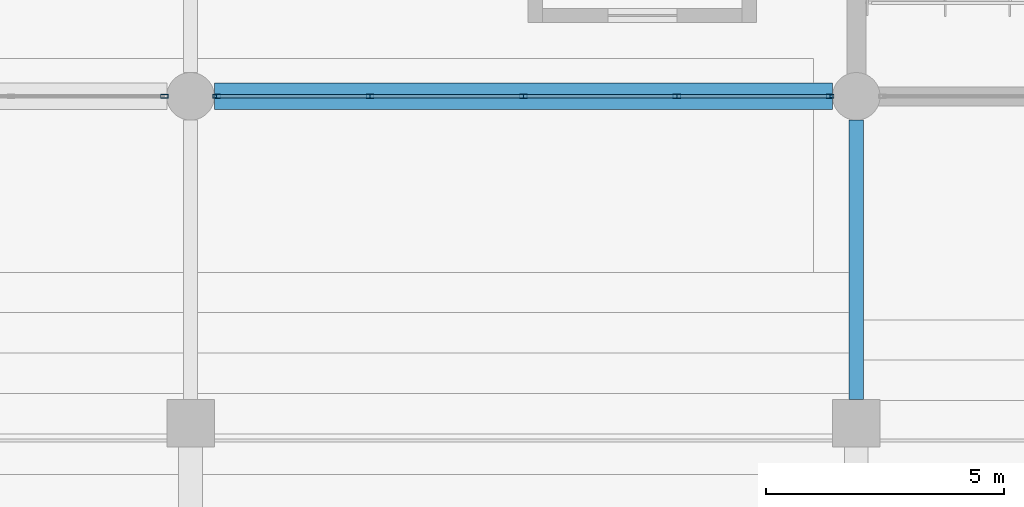
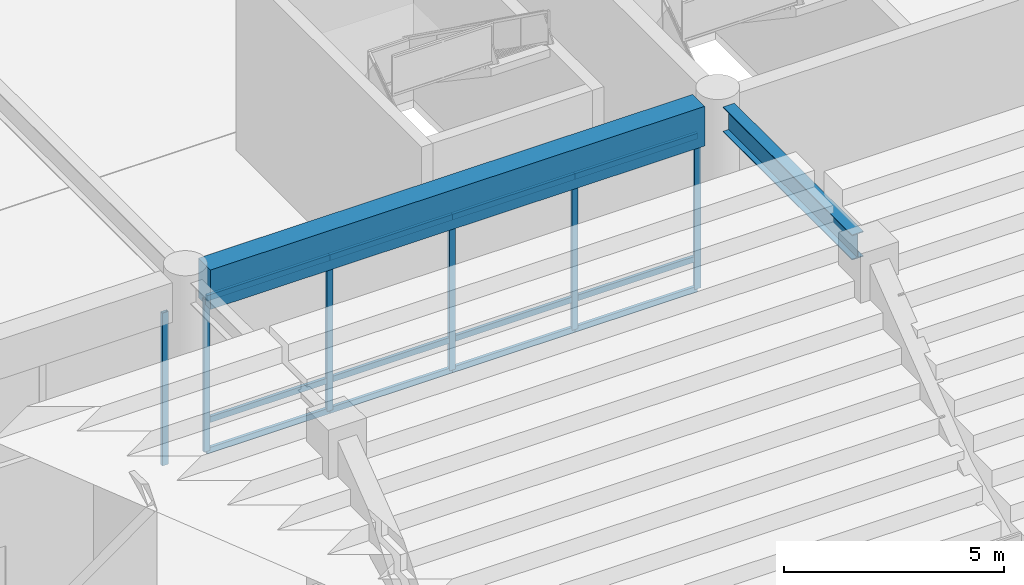
# One storey, part 67 of 117: 18 members, 2 beams, 2 elements without a shape of their own.
"""IFC4 building model written with IfcOpenShell, lengths in metres."""

from ifc_helpers import new_model, si_unit, direction, frame, origin, origin_2d, place, context, subcontext, project, spatial, rectangle, hollow_rectangle, i_section, extrude, material, material_profile, profile_set, type_object, element, aggregate, save


model = new_model("IFC4")

# Units and contexts
model_context = context("Model", 3, precision=1e-05, world=origin(), true_north=direction((0.0, 1.0)))
body_context = subcontext(model_context, "Body", "Model", "MODEL_VIEW")
ifc_project = project(units=[si_unit("LENGTHUNIT", "METRE"), si_unit("AREAUNIT", "SQUARE_METRE"), si_unit("VOLUMEUNIT", "CUBIC_METRE"), si_unit("PLANEANGLEUNIT", "RADIAN"), si_unit("MASSUNIT", "GRAM", prefix="KILO")], contexts=[model_context])

# Site, building, storey
site_placement = place(None, origin())
site = spatial("IfcSite", under=ifc_project, at=site_placement, CompositionType="ELEMENT")
building_placement = place(site_placement, origin())
building = spatial("IfcBuilding", under=site, at=building_placement, Name="Linyun Crest Stadium", CompositionType="ELEMENT")
storey_placement = place(building_placement, frame((0.0, 0.0, 6.0)))
storey = spatial("IfcBuildingStorey", under=building, at=storey_placement, Name="L02", CompositionType="ELEMENT", Elevation=6.0)

# Beam
ifc_material_1 = material(Name="Steel Q355C", Category="steel")
ifc_material_profile_1 = material_profile(ifc_material_1, i_section(OverallWidth=0.300048828125, OverallDepth=0.699951171875, WebThickness=0.012939453125, FlangeThickness=0.02392578125, at=origin_2d()), Name="HN 700x300")
ifc_profile_set_1 = profile_set([ifc_material_profile_1], Name="Steel Q355C")
beam_type_1 = type_object("IfcBeamType", Name="B12", PredefinedType="BEAM", material=ifc_profile_set_1)
beam_1_placement = place(storey_placement, frame((14.0, 85.125, 4.85009765625), z_axis=(0.0, 1.0, 0.0), x_axis=(-1.0, 0.0, 0.0)))
element("IfcBeam", 1, at=beam_1_placement, inside=storey, type_object=beam_type_1, Name="Frame beam B12 L02 798", PredefinedType="BEAM", context=body_context, shape_type="SweptSolid", body=[
    extrude(i_section(OverallWidth=0.300048828125, OverallDepth=0.699951171875, WebThickness=0.012939453125, FlangeThickness=0.02392578125, at=origin_2d()), origin(), (0.0, 0.0, 1.0), 5.875),
])

# Curtain wall, member
ifc_material_2 = material(Name="Verdigris steel and low-E curtain wall assembly", Category="steel")
curtain_wall_type = type_object("IfcCurtainWallType", Name="MCW03", PredefinedType="NOTDEFINED", material=ifc_material_2)
curtain_wall_1_placement = place(storey_placement, origin())
curtain_wall_1 = element("IfcCurtainWall", 2, at=curtain_wall_1_placement, inside=storey, type_object=curtain_wall_type, Name="CWR-134", PredefinedType="NOTDEFINED")
ifc_material_3 = material(Name="Aluminium thermally broken mullion", Category="aluminium")
ifc_material_profile_2 = material_profile(ifc_material_3, hollow_rectangle(XDim=0.080078125, YDim=0.159912109375, WallThickness=0.006103515625, at=origin_2d()), Name="RHS 160x80x6")
ifc_profile_set_2 = profile_set([ifc_material_profile_2], Name="Aluminium thermally broken mullion")
member_type_1 = type_object("IfcMemberType", Name="ML01", PredefinedType="MULLION", material=ifc_profile_set_2)
member_1_placement = place(storey_placement, frame((-0.550048828125, 91.5, 0.0), z_axis=(0.0, 0.0, 1.0), x_axis=(0.0, 1.0, 0.0)))
member_1 = element("IfcMember", 3, at=member_1_placement, type_object=member_type_1, Name="CWR-134 mullion 5", PredefinedType="MULLION", context=body_context, shape_type="SweptSolid", body=[
    extrude(hollow_rectangle(XDim=0.080078125, YDim=0.159912109375, WallThickness=0.006103515625, at=origin_2d()), origin(), (0.0, 0.0, 1.0), 4.25),
])
aggregate(curtain_wall_1, [member_1])

# Curtain wall, members
curtain_wall_2_placement = place(storey_placement, origin())
curtain_wall_2 = element("IfcCurtainWall", 4, at=curtain_wall_2_placement, inside=storey, type_object=curtain_wall_type, Name="CWR-141", PredefinedType="NOTDEFINED")
member_2_placement = place(storey_placement, frame((0.550048828125, 91.5, 0.0), z_axis=(0.0, 0.0, 1.0), x_axis=(0.0, 1.0, 0.0)))
member_2 = element("IfcMember", 5, at=member_2_placement, type_object=member_type_1, Name="CWR-141 mullion 1", PredefinedType="MULLION", context=body_context, shape_type="SweptSolid", body=[
    extrude(hollow_rectangle(XDim=0.080078125, YDim=0.159912109375, WallThickness=0.006103515625, at=origin_2d()), origin(), (0.0, 0.0, 1.0), 4.25),
])
member_3_placement = place(storey_placement, frame((3.77490234375, 91.5, 0.0), z_axis=(0.0, 0.0, 1.0), x_axis=(0.0, 1.0, 0.0)))
member_3 = element("IfcMember", 6, at=member_3_placement, type_object=member_type_1, Name="CWR-141 mullion 2", PredefinedType="MULLION", context=body_context, shape_type="SweptSolid", body=[
    extrude(hollow_rectangle(XDim=0.080078125, YDim=0.159912109375, WallThickness=0.006103515625, at=origin_2d()), origin(), (0.0, 0.0, 1.0), 4.25),
])
member_4_placement = place(storey_placement, frame((7.0, 91.5, 0.0), z_axis=(0.0, 0.0, 1.0), x_axis=(0.0, 1.0, 0.0)))
member_4 = element("IfcMember", 7, at=member_4_placement, type_object=member_type_1, Name="CWR-141 mullion 3", PredefinedType="MULLION", context=body_context, shape_type="SweptSolid", body=[
    extrude(hollow_rectangle(XDim=0.080078125, YDim=0.159912109375, WallThickness=0.006103515625, at=origin_2d()), origin(), (0.0, 0.0, 1.0), 4.25),
])
member_5_placement = place(storey_placement, frame((10.22509765625, 91.5, 0.0), z_axis=(0.0, 0.0, 1.0), x_axis=(0.0, 1.0, 0.0)))
member_5 = element("IfcMember", 8, at=member_5_placement, type_object=member_type_1, Name="CWR-141 mullion 4", PredefinedType="MULLION", context=body_context, shape_type="SweptSolid", body=[
    extrude(hollow_rectangle(XDim=0.080078125, YDim=0.159912109375, WallThickness=0.006103515625, at=origin_2d()), origin(), (0.0, 0.0, 1.0), 4.25),
])
member_6_placement = place(storey_placement, frame((13.449951171875, 91.5, 0.0), z_axis=(0.0, 0.0, 1.0), x_axis=(0.0, 1.0, 0.0)))
member_6 = element("IfcMember", 9, at=member_6_placement, type_object=member_type_1, Name="CWR-141 mullion 5", PredefinedType="MULLION", context=body_context, shape_type="SweptSolid", body=[
    extrude(hollow_rectangle(XDim=0.080078125, YDim=0.159912109375, WallThickness=0.006103515625, at=origin_2d()), origin(), (0.0, 0.0, 1.0), 4.25),
])

# Beam
ifc_material_4 = material(Name="Concrete C50", Category="concrete")
ifc_material_profile_3 = material_profile(ifc_material_4, rectangle(XDim=0.550048828125, YDim=1.10009765625, at=origin_2d()), Name="RCB 1100x550")
ifc_profile_set_3 = profile_set([ifc_material_profile_3], Name="Concrete C50")
beam_type_2 = type_object("IfcBeamType", Name="TB01", PredefinedType="USERDEFINED", material=ifc_profile_set_3)
beam_2_placement = place(storey_placement, frame((0.5, 91.5, 4.64990234375), z_axis=(1.0, 0.0, 0.0), x_axis=(0.0, 1.0, 0.0)))
element("IfcBeam", 10, at=beam_2_placement, inside=storey, type_object=beam_type_2, Name="Frame beam TB01 L02 791", ObjectType="GIRDER", PredefinedType="USERDEFINED", context=body_context, shape_type="SweptSolid", body=[
    extrude(rectangle(XDim=0.550048828125, YDim=1.10009765625, at=origin_2d()), origin(), (0.0, 0.0, 1.0), 13.0),
])

# Member
ifc_material_5 = material(Name="Aluminium thermally broken transom", Category="aluminium")
ifc_material_profile_4 = material_profile(ifc_material_5, hollow_rectangle(XDim=0.080078125, YDim=0.159912109375, WallThickness=0.006103515625, at=origin_2d()), Name="RHS 160x80x6")
ifc_profile_set_4 = profile_set([ifc_material_profile_4], Name="Aluminium thermally broken transom")
member_type_2 = type_object("IfcMemberType", Name="TR01", PredefinedType="USERDEFINED", material=ifc_profile_set_4)
member_7_placement = place(storey_placement, frame((0.550048828125, 91.5, 0.0), z_axis=(1.0, 0.0, 0.0), x_axis=(0.0, 1.0, 0.0)))
member_7 = element("IfcMember", 11, at=member_7_placement, type_object=member_type_2, Name="CWR-141 transom 1.1", ObjectType="TRANSOM", PredefinedType="USERDEFINED", context=body_context, shape_type="SweptSolid", body=[
    extrude(hollow_rectangle(XDim=0.080078125, YDim=0.159912109375, WallThickness=0.006103515625, at=origin_2d()), origin(), (0.0, 0.0, 1.0), 3.224853515625),
])

member_8_placement = place(storey_placement, frame((0.550048828125, 91.5, 0.85009765625), z_axis=(1.0, 0.0, 0.0), x_axis=(0.0, 1.0, 0.0)))
member_8 = element("IfcMember", 12, at=member_8_placement, type_object=member_type_2, Name="CWR-141 transom 1.2", ObjectType="TRANSOM", PredefinedType="USERDEFINED", context=body_context, shape_type="SweptSolid", body=[
    extrude(hollow_rectangle(XDim=0.080078125, YDim=0.159912109375, WallThickness=0.006103515625, at=origin_2d()), origin(), (0.0, 0.0, 1.0), 3.224853515625),
])

member_9_placement = place(storey_placement, frame((0.550048828125, 91.5, 4.25), z_axis=(1.0, 0.0, 0.0), x_axis=(0.0, 1.0, 0.0)))
member_9 = element("IfcMember", 13, at=member_9_placement, type_object=member_type_2, Name="CWR-141 transom 1.3", ObjectType="TRANSOM", PredefinedType="USERDEFINED", context=body_context, shape_type="SweptSolid", body=[
    extrude(hollow_rectangle(XDim=0.080078125, YDim=0.159912109375, WallThickness=0.006103515625, at=origin_2d()), origin(), (0.0, 0.0, 1.0), 3.224853515625),
])

member_10_placement = place(storey_placement, frame((3.77490234375, 91.5, 0.0), z_axis=(1.0, 0.0, 0.0), x_axis=(0.0, 1.0, 0.0)))
member_10 = element("IfcMember", 14, at=member_10_placement, type_object=member_type_2, Name="CWR-141 transom 2.1", ObjectType="TRANSOM", PredefinedType="USERDEFINED", context=body_context, shape_type="SweptSolid", body=[
    extrude(hollow_rectangle(XDim=0.080078125, YDim=0.159912109375, WallThickness=0.006103515625, at=origin_2d()), origin(), (0.0, 0.0, 1.0), 3.22509765625),
])

member_11_placement = place(storey_placement, frame((3.77490234375, 91.5, 0.85009765625), z_axis=(1.0, 0.0, 0.0), x_axis=(0.0, 1.0, 0.0)))
member_11 = element("IfcMember", 15, at=member_11_placement, type_object=member_type_2, Name="CWR-141 transom 2.2", ObjectType="TRANSOM", PredefinedType="USERDEFINED", context=body_context, shape_type="SweptSolid", body=[
    extrude(hollow_rectangle(XDim=0.080078125, YDim=0.159912109375, WallThickness=0.006103515625, at=origin_2d()), origin(), (0.0, 0.0, 1.0), 3.22509765625),
])

member_12_placement = place(storey_placement, frame((3.77490234375, 91.5, 4.25), z_axis=(1.0, 0.0, 0.0), x_axis=(0.0, 1.0, 0.0)))
member_12 = element("IfcMember", 16, at=member_12_placement, type_object=member_type_2, Name="CWR-141 transom 2.3", ObjectType="TRANSOM", PredefinedType="USERDEFINED", context=body_context, shape_type="SweptSolid", body=[
    extrude(hollow_rectangle(XDim=0.080078125, YDim=0.159912109375, WallThickness=0.006103515625, at=origin_2d()), origin(), (0.0, 0.0, 1.0), 3.22509765625),
])

member_13_placement = place(storey_placement, frame((7.0, 91.5, 0.0), z_axis=(1.0, 0.0, 0.0), x_axis=(0.0, 1.0, 0.0)))
member_13 = element("IfcMember", 17, at=member_13_placement, type_object=member_type_2, Name="CWR-141 transom 3.1", ObjectType="TRANSOM", PredefinedType="USERDEFINED", context=body_context, shape_type="SweptSolid", body=[
    extrude(hollow_rectangle(XDim=0.080078125, YDim=0.159912109375, WallThickness=0.006103515625, at=origin_2d()), origin(), (0.0, 0.0, 1.0), 3.22509765625),
])

member_14_placement = place(storey_placement, frame((7.0, 91.5, 0.85009765625), z_axis=(1.0, 0.0, 0.0), x_axis=(0.0, 1.0, 0.0)))
member_14 = element("IfcMember", 18, at=member_14_placement, type_object=member_type_2, Name="CWR-141 transom 3.2", ObjectType="TRANSOM", PredefinedType="USERDEFINED", context=body_context, shape_type="SweptSolid", body=[
    extrude(hollow_rectangle(XDim=0.080078125, YDim=0.159912109375, WallThickness=0.006103515625, at=origin_2d()), origin(), (0.0, 0.0, 1.0), 3.22509765625),
])

member_15_placement = place(storey_placement, frame((7.0, 91.5, 4.25), z_axis=(1.0, 0.0, 0.0), x_axis=(0.0, 1.0, 0.0)))
member_15 = element("IfcMember", 19, at=member_15_placement, type_object=member_type_2, Name="CWR-141 transom 3.3", ObjectType="TRANSOM", PredefinedType="USERDEFINED", context=body_context, shape_type="SweptSolid", body=[
    extrude(hollow_rectangle(XDim=0.080078125, YDim=0.159912109375, WallThickness=0.006103515625, at=origin_2d()), origin(), (0.0, 0.0, 1.0), 3.22509765625),
])

member_16_placement = place(storey_placement, frame((10.22509765625, 91.5, 0.0), z_axis=(1.0, 0.0, 0.0), x_axis=(0.0, 1.0, 0.0)))
member_16 = element("IfcMember", 20, at=member_16_placement, type_object=member_type_2, Name="CWR-141 transom 4.1", ObjectType="TRANSOM", PredefinedType="USERDEFINED", context=body_context, shape_type="SweptSolid", body=[
    extrude(hollow_rectangle(XDim=0.080078125, YDim=0.159912109375, WallThickness=0.006103515625, at=origin_2d()), origin(), (0.0, 0.0, 1.0), 3.224853515625),
])

member_17_placement = place(storey_placement, frame((10.22509765625, 91.5, 0.85009765625), z_axis=(1.0, 0.0, 0.0), x_axis=(0.0, 1.0, 0.0)))
member_17 = element("IfcMember", 21, at=member_17_placement, type_object=member_type_2, Name="CWR-141 transom 4.2", ObjectType="TRANSOM", PredefinedType="USERDEFINED", context=body_context, shape_type="SweptSolid", body=[
    extrude(hollow_rectangle(XDim=0.080078125, YDim=0.159912109375, WallThickness=0.006103515625, at=origin_2d()), origin(), (0.0, 0.0, 1.0), 3.224853515625),
])

member_18_placement = place(storey_placement, frame((10.22509765625, 91.5, 4.25), z_axis=(1.0, 0.0, 0.0), x_axis=(0.0, 1.0, 0.0)))
member_18 = element("IfcMember", 22, at=member_18_placement, type_object=member_type_2, Name="CWR-141 transom 4.3", ObjectType="TRANSOM", PredefinedType="USERDEFINED", context=body_context, shape_type="SweptSolid", body=[
    extrude(hollow_rectangle(XDim=0.080078125, YDim=0.159912109375, WallThickness=0.006103515625, at=origin_2d()), origin(), (0.0, 0.0, 1.0), 3.224853515625),
])

aggregate(curtain_wall_2, [member_2, member_3, member_4, member_5, member_6, member_7, member_8, member_9, member_10, member_11, member_12, member_13, member_14, member_15, member_16, member_17, member_18])

save(model, "model.ifc")
